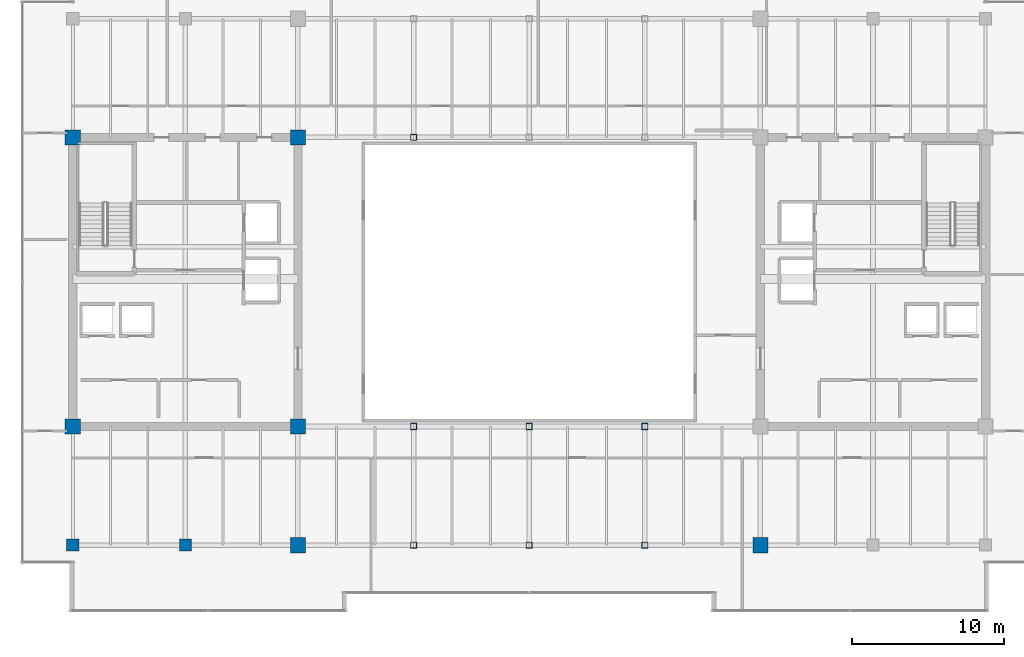
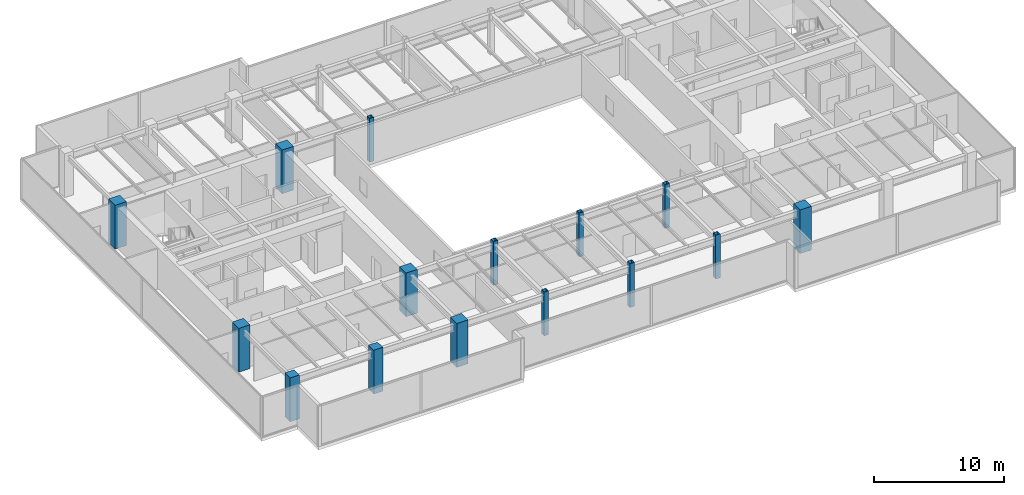
# One storey, part 1 of 33: 15 columns.
"""IFC4 building model written with IfcOpenShell, lengths in metres."""

from ifc_helpers import new_model, si_unit, direction, frame, origin, origin_2d, place, context, subcontext, project, spatial, rectangle, hollow_rectangle, extrude, source, transform, mapped, material, material_profile, profile_set, type_object, type_shapes, element, save


model = new_model("IFC4")

# Units and contexts
model_context = context("Model", 3, precision=1e-05, world=origin(), true_north=direction((0.0, 1.0)))
body_context = subcontext(model_context, "Body", "Model", "MODEL_VIEW")
ifc_project = project(units=[si_unit("LENGTHUNIT", "METRE"), si_unit("AREAUNIT", "SQUARE_METRE"), si_unit("VOLUMEUNIT", "CUBIC_METRE"), si_unit("PLANEANGLEUNIT", "RADIAN"), si_unit("MASSUNIT", "GRAM", prefix="KILO")], contexts=[model_context])

# Site, building, storey
site_placement = place(None, origin())
site = spatial("IfcSite", under=ifc_project, at=site_placement, CompositionType="ELEMENT")
building_placement = place(site_placement, origin())
building = spatial("IfcBuilding", under=site, at=building_placement, Name="Haelvirn Gate Laboratories", CompositionType="ELEMENT")
storey_placement = place(building_placement, frame((0.0, 0.0, 271.10009765625)))
storey = spatial("IfcBuildingStorey", under=building, at=storey_placement, Name="L65", CompositionType="ELEMENT", Elevation=271.10009765625)

# Columns
ifc_material_1 = material(Name="Concrete C60/75", Category="concrete")
ifc_material_profile_1 = material_profile(ifc_material_1, rectangle(XDim=1.0, YDim=1.0, at=origin_2d()), Name="RC-1000x1000")
ifc_profile_set_1 = profile_set([ifc_material_profile_1], Name="Concrete C60/75")
column_type_1 = type_object("IfcColumnType", Name="COL-RC-1000", PredefinedType="COLUMN", material=ifc_profile_set_1)
shared_shape_1 = source(origin(), body_context, "Body", "SweptSolid", [
    extrude(rectangle(XDim=1.0, YDim=1.0, at=origin_2d()), origin(), (0.0, 0.0, 1.0), 4.099853515625),
])
type_shapes(column_type_1, [shared_shape_1])
for number, where, z_axis, x_axis, name in (
    (1, (22.199951171875, 7.0, 0.0), (0.0, 0.0, 1.0), (1.0, 0.0, 0.0), "L65 Column 4B"),
    (2, (7.39990234375, 14.800048828125, 0.0), (0.0, 0.0, 1.0), (1.0, 0.0, 0.0), "L65 Column 2C"),
    (3, (22.199951171875, 14.800048828125, 0.0), (0.0, 0.0, 1.0), (1.0, 0.0, 0.0), "L65 Column 4C"),
    (4, (7.39990234375, 33.800048828125, 0.0), (0.0, 0.0, 1.0), (1.0, 0.0, 0.0), "L65 Column 2F"),
    (5, (22.199951171875, 33.800048828125, 0.0), (0.0, 0.0, 1.0), (1.0, 0.0, 0.0), "L65 Column 4F"),
    (6, (52.60009765625, 7.0, 0.0), (0.0, 0.0, 1.0), (1.0, 0.0, 0.0), "L65 Column 8B"),
):
    element("IfcColumn", number, at=place(storey_placement, frame(where, z_axis=z_axis, x_axis=x_axis)), inside=storey, type_object=column_type_1, Name=name, PredefinedType="COLUMN", context=body_context, shape_type="MappedRepresentation", body=[
        mapped(shared_shape_1, transform((0.0, 0.0, 0.0), scale=1.0)),
    ])
ifc_material_2 = material(Name="Concrete C50/60", Category="concrete")
ifc_material_profile_2 = material_profile(ifc_material_2, rectangle(XDim=0.800048828125, YDim=0.800048828125, at=origin_2d()), Name="RC-800x800")
ifc_profile_set_2 = profile_set([ifc_material_profile_2], Name="Concrete C50/60")
column_type_2 = type_object("IfcColumnType", Name="COL-RC-800", PredefinedType="COLUMN", material=ifc_profile_set_2)
shared_shape_2 = source(origin(), body_context, "Body", "SweptSolid", [
    extrude(rectangle(XDim=0.800048828125, YDim=0.800048828125, at=origin_2d()), origin(), (0.0, 0.0, 1.0), 4.099853515625),
])
type_shapes(column_type_2, [shared_shape_2])
for number, where, z_axis, x_axis, name in (
    (7, (14.800048828125, 7.0, 0.0), (0.0, 0.0, 1.0), (1.0, 0.0, 0.0), "L65 Column 3B"),
    (8, (7.39990234375, 7.0, 0.0), (0.0, 0.0, 1.0), (1.0, 0.0, 0.0), "L65 Column 2B"),
):
    element("IfcColumn", number, at=place(storey_placement, frame(where, z_axis=z_axis, x_axis=x_axis)), inside=storey, type_object=column_type_2, Name=name, PredefinedType="COLUMN", context=body_context, shape_type="MappedRepresentation", body=[
        mapped(shared_shape_2, transform((0.0, 0.0, 0.0), scale=1.0)),
    ])
ifc_material_3 = material(Name="Steel SM355", Category="steel")
ifc_material_profile_3 = material_profile(ifc_material_3, hollow_rectangle(XDim=0.39990234375, YDim=0.39990234375, WallThickness=0.01904296875, at=origin_2d()), Name="BOX-400x400x19")
ifc_profile_set_3 = profile_set([ifc_material_profile_3], Name="Steel SM355")
column_type_3 = type_object("IfcColumnType", Name="COL-BOX-400", PredefinedType="COLUMN", material=ifc_profile_set_3)
shared_shape_3 = source(origin(), body_context, "Body", "SweptSolid", [
    extrude(hollow_rectangle(XDim=0.39990234375, YDim=0.39990234375, WallThickness=0.01904296875, at=origin_2d()), origin(), (0.0, 0.0, 1.0), 4.099853515625),
])
type_shapes(column_type_3, [shared_shape_3])
for number, where, z_axis, x_axis, name in (
    (9, (29.800048828125, 7.0, 0.0), (0.0, 0.0, 1.0), (1.0, 0.0, 0.0), "L65 Column 5B"),
    (10, (29.800048828125, 14.800048828125, 0.0), (0.0, 0.0, 1.0), (1.0, 0.0, 0.0), "L65 Column 5C"),
    (11, (29.800048828125, 33.800048828125, 0.0), (0.0, 0.0, 1.0), (1.0, 0.0, 0.0), "L65 Column 5F"),
    (12, (37.39990234375, 7.0, 0.0), (0.0, 0.0, 1.0), (1.0, 0.0, 0.0), "L65 Column 6B"),
    (13, (37.39990234375, 14.800048828125, 0.0), (0.0, 0.0, 1.0), (1.0, 0.0, 0.0), "L65 Column 6C"),
    (14, (45.0, 7.0, 0.0), (0.0, 0.0, 1.0), (1.0, 0.0, 0.0), "L65 Column 7B"),
    (15, (45.0, 14.800048828125, 0.0), (0.0, 0.0, 1.0), (1.0, 0.0, 0.0), "L65 Column 7C"),
):
    element("IfcColumn", number, at=place(storey_placement, frame(where, z_axis=z_axis, x_axis=x_axis)), inside=storey, type_object=column_type_3, Name=name, PredefinedType="COLUMN", context=body_context, shape_type="MappedRepresentation", body=[
        mapped(shared_shape_3, transform((0.0, 0.0, 0.0), scale=1.0)),
    ])

save(model, "model.ifc")
